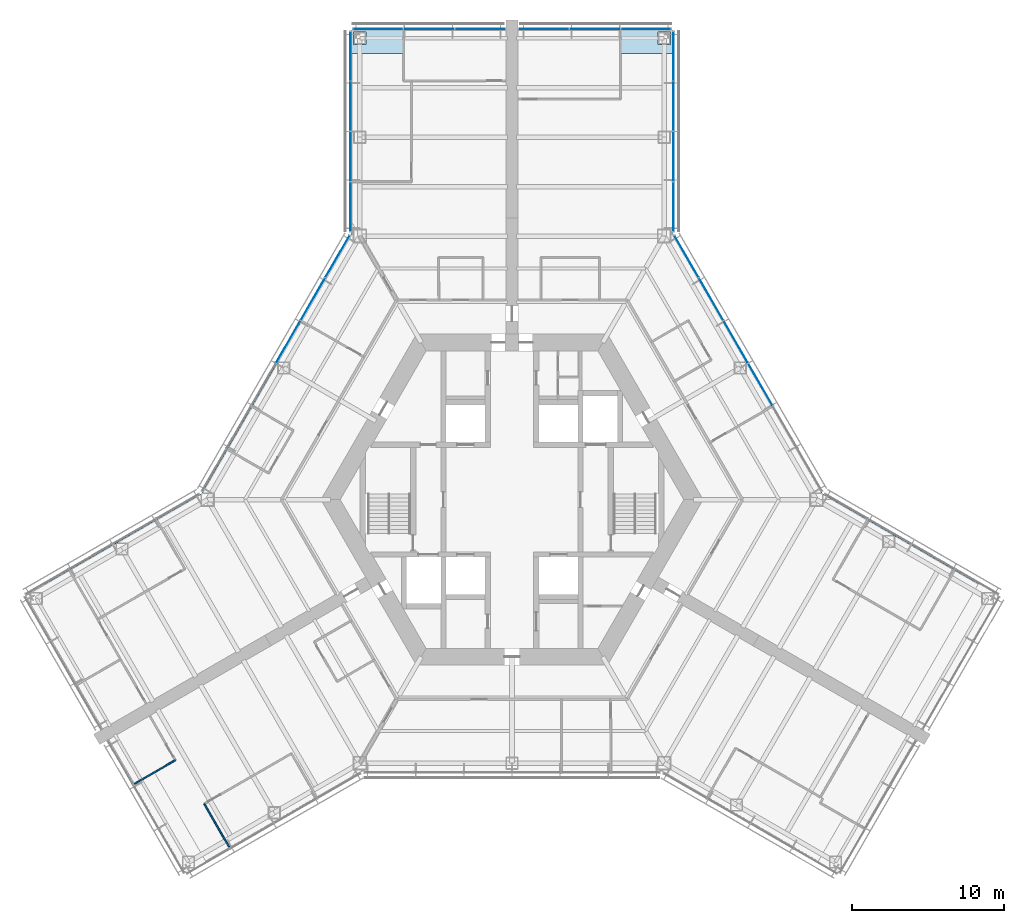
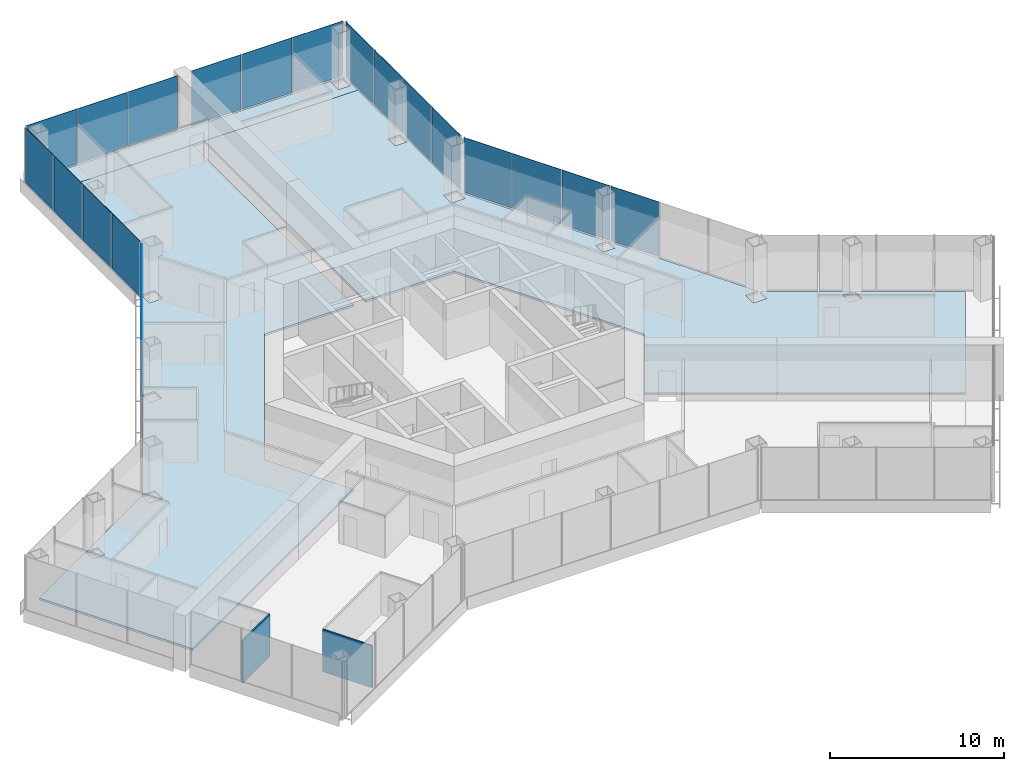
# One storey, part 11 of 18: 21 plates, 3 slabs, 2 walls, 6 elements without a shape of their own.
"""IFC4 building model written with IfcOpenShell, lengths in metres."""

from ifc_helpers import new_model, si_unit, direction, frame, frame_2d, origin, origin_2d, place, context, subcontext, project, spatial, polyline, rectangle, outline, extrude, material, layer, layer_set, type_object, element, aggregate, save


model = new_model("IFC4")

# Units and contexts
model_context = context("Model", 3, precision=1e-05, world=origin(), true_north=direction((0.0, 1.0)))
body_context = subcontext(model_context, "Body", "Model", "MODEL_VIEW")
ifc_project = project(units=[si_unit("LENGTHUNIT", "METRE"), si_unit("AREAUNIT", "SQUARE_METRE"), si_unit("VOLUMEUNIT", "CUBIC_METRE"), si_unit("PLANEANGLEUNIT", "RADIAN"), si_unit("MASSUNIT", "GRAM", prefix="KILO")], contexts=[model_context])

# Site, building, storey
site_placement = place(None, origin())
site = spatial("IfcSite", under=ifc_project, at=site_placement, CompositionType="ELEMENT")
building_placement = place(site_placement, origin())
building = spatial("IfcBuilding", under=site, at=building_placement, Name="Kasaneha Research Tower", CompositionType="ELEMENT")
storey_placement = place(building_placement, frame((0.0, 0.0, 111.89990234375)))
storey = spatial("IfcBuildingStorey", under=building, at=storey_placement, Name="L28", CompositionType="ELEMENT", Elevation=111.89990234375)

# Curtain wall, plates
ifc_material_1 = material(Name="Glass and aluminium", Category="aluminium")
curtain_wall_type = type_object("IfcCurtainWallType", Name="Low-rise office curtain wall", PredefinedType="USERDEFINED", material=ifc_material_1)
curtain_wall_1_placement = place(storey_placement, origin())
curtain_wall_1 = element("IfcCurtainWall", 1, at=curtain_wall_1_placement, inside=storey, type_object=curtain_wall_type, Name="CW-O1 L28 run 07a", ObjectType="UNITISED CURTAIN WALL", PredefinedType="USERDEFINED")
ifc_material_2 = material(Name="Laminated double glazing", Category="glass")
ifc_layer_1 = layer(ifc_material_2, 0.028076171875)
ifc_layer_set_1 = layer_set([ifc_layer_1], Name="CW-O1 glazed panel")
plate_type = type_object("IfcPlateType", Name="CW-O1 glazed panel", PredefinedType="CURTAIN_PANEL", material=ifc_layer_set_1)
plate_1_placement = place(storey_placement, frame((16.331298828125, 7.554443359375, 0.06005859375), z_axis=(0.0, 0.0, 1.0), x_axis=(-0.49999996188, 0.866025425793, 0.0)))
plate_1 = element("IfcPlate", 2, at=plate_1_placement, type_object=plate_type, Name="CW-O1 panel 3", PredefinedType="CURTAIN_PANEL", context=body_context, shape_type="SweptSolid", body=[
    extrude(rectangle(XDim=3.1865234375, YDim=0.028076171875, at=origin_2d()), origin(), (0.0, 0.0, 1.0), 3.840087890625),
])
plate_2_placement = place(storey_placement, frame((14.7080078125, 10.365966796875, 0.06005859375), z_axis=(0.0, 0.0, 1.0), x_axis=(-0.49999996188, 0.866025425793, 0.0)))
plate_2 = element("IfcPlate", 3, at=plate_2_placement, type_object=plate_type, Name="CW-O1 panel 4", PredefinedType="CURTAIN_PANEL", context=body_context, shape_type="SweptSolid", body=[
    extrude(rectangle(XDim=3.1865234375, YDim=0.028076171875, at=origin_2d()), origin(), (0.0, 0.0, 1.0), 3.840087890625),
])
plate_3_placement = place(storey_placement, frame((13.084716796875, 13.177490234375, 0.06005859375), z_axis=(0.0, 0.0, 1.0), x_axis=(-0.49999996188, 0.866025425793, 0.0)))
plate_3 = element("IfcPlate", 4, at=plate_3_placement, type_object=plate_type, Name="CW-O1 panel 5", PredefinedType="CURTAIN_PANEL", context=body_context, shape_type="SweptSolid", body=[
    extrude(rectangle(XDim=3.1865234375, YDim=0.028076171875, at=origin_2d()), origin(), (0.0, 0.0, 1.0), 3.840087890625),
])
plate_4_placement = place(storey_placement, frame((11.468994140625, 15.975830078125, 0.06005859375), z_axis=(0.0, 0.0, 1.0), x_axis=(-0.49999996188, 0.866025425793, 0.0)))
plate_4 = element("IfcPlate", 5, at=plate_4_placement, type_object=plate_type, Name="CW-O1 panel 6", PredefinedType="CURTAIN_PANEL", context=body_context, shape_type="SweptSolid", body=[
    extrude(rectangle(XDim=3.156494140625, YDim=0.028076171875, at=origin_2d()), origin(), (0.0, 0.0, 1.0), 3.840087890625),
])
aggregate(curtain_wall_1, [plate_1, plate_2, plate_3, plate_4])

curtain_wall_2_placement = place(storey_placement, origin())
curtain_wall_2 = element("IfcCurtainWall", 6, at=curtain_wall_2_placement, inside=storey, type_object=curtain_wall_type, Name="CW-O1 L28 run 08a", ObjectType="UNITISED CURTAIN WALL", PredefinedType="USERDEFINED")
plate_5_placement = place(storey_placement, frame((10.60009765625, 19.251220703125, 0.06005859375), z_axis=(0.0, 0.0, 1.0), x_axis=(0.0, 1.0, 0.0)))
plate_5 = element("IfcPlate", 7, at=plate_5_placement, type_object=plate_type, Name="CW-O1 panel 1", PredefinedType="CURTAIN_PANEL", context=body_context, shape_type="SweptSolid", body=[
    extrude(rectangle(XDim=3.2197265625, YDim=0.028076171875, at=origin_2d()), origin(), (0.0, 0.0, 1.0), 3.840087890625),
])
plate_6_placement = place(storey_placement, frame((10.60009765625, 22.5458984375, 0.06005859375), z_axis=(0.0, 0.0, 1.0), x_axis=(0.0, 1.0, 0.0)))
plate_6 = element("IfcPlate", 8, at=plate_6_placement, type_object=plate_type, Name="CW-O1 panel 2", PredefinedType="CURTAIN_PANEL", context=body_context, shape_type="SweptSolid", body=[
    extrude(rectangle(XDim=3.249755859375, YDim=0.028076171875, at=origin_2d()), origin(), (0.0, 0.0, 1.0), 3.840087890625),
])
plate_7_placement = place(storey_placement, frame((10.60009765625, 25.855712890625, 0.06005859375), z_axis=(0.0, 0.0, 1.0), x_axis=(0.0, 1.0, 0.0)))
plate_7 = element("IfcPlate", 9, at=plate_7_placement, type_object=plate_type, Name="CW-O1 panel 3", PredefinedType="CURTAIN_PANEL", context=body_context, shape_type="SweptSolid", body=[
    extrude(rectangle(XDim=3.249755859375, YDim=0.028076171875, at=origin_2d()), origin(), (0.0, 0.0, 1.0), 3.840087890625),
])
plate_8_placement = place(storey_placement, frame((10.60009765625, 29.150634765625, 0.06005859375), z_axis=(0.0, 0.0, 1.0), x_axis=(0.0, 1.0, 0.0)))
plate_8 = element("IfcPlate", 10, at=plate_8_placement, type_object=plate_type, Name="CW-O1 panel 4", PredefinedType="CURTAIN_PANEL", context=body_context, shape_type="SweptSolid", body=[
    extrude(rectangle(XDim=3.2197265625, YDim=0.028076171875, at=origin_2d()), origin(), (0.0, 0.0, 1.0), 3.840087890625),
])
aggregate(curtain_wall_2, [plate_5, plate_6, plate_7, plate_8])

curtain_wall_3_placement = place(storey_placement, origin())
curtain_wall_3 = element("IfcCurtainWall", 11, at=curtain_wall_3_placement, inside=storey, type_object=curtain_wall_type, Name="CW-O1 L28 run 09a", ObjectType="UNITISED CURTAIN WALL", PredefinedType="USERDEFINED")
plate_9_placement = place(storey_placement, frame((8.8017578125, 30.92041015625, 0.06005859375), z_axis=(0.0, 0.0, 1.0), x_axis=(-1.0, 0.0, 0.0)))
plate_9 = element("IfcPlate", 12, at=plate_9_placement, type_object=plate_type, Name="CW-O1 panel 1", PredefinedType="CURTAIN_PANEL", context=body_context, shape_type="SweptSolid", body=[
    extrude(rectangle(XDim=3.276611328125, YDim=0.028076171875, at=origin_2d()), origin(), (0.0, 0.0, 1.0), 3.840087890625),
])
plate_10_placement = place(storey_placement, frame((5.449951171875, 30.92041015625, 0.06005859375), z_axis=(0.0, 0.0, 1.0), x_axis=(-1.0, 0.0, 0.0)))
plate_10 = element("IfcPlate", 13, at=plate_10_placement, type_object=plate_type, Name="CW-O1 panel 2", PredefinedType="CURTAIN_PANEL", context=body_context, shape_type="SweptSolid", body=[
    extrude(rectangle(XDim=3.306640625, YDim=0.028076171875, at=origin_2d()), origin(), (0.0, 0.0, 1.0), 3.840087890625),
])
plate_11_placement = place(storey_placement, frame((2.098388671875, 30.92041015625, 0.06005859375), z_axis=(0.0, 0.0, 1.0), x_axis=(-1.0, 0.0, 0.0)))
plate_11 = element("IfcPlate", 14, at=plate_11_placement, type_object=plate_type, Name="CW-O1 panel 3", PredefinedType="CURTAIN_PANEL", context=body_context, shape_type="SweptSolid", body=[
    extrude(rectangle(XDim=3.276611328125, YDim=0.028076171875, at=origin_2d()), origin(), (0.0, 0.0, 1.0), 3.840087890625),
])
aggregate(curtain_wall_3, [plate_9, plate_10, plate_11])

curtain_wall_4_placement = place(storey_placement, origin())
curtain_wall_4 = element("IfcCurtainWall", 15, at=curtain_wall_4_placement, inside=storey, type_object=curtain_wall_type, Name="CW-O1 L28 run 10a", ObjectType="UNITISED CURTAIN WALL", PredefinedType="USERDEFINED")
plate_12_placement = place(storey_placement, frame((-2.098388671875, 30.92041015625, 0.06005859375), z_axis=(0.0, 0.0, 1.0), x_axis=(-1.0, 0.0, 0.0)))
plate_12 = element("IfcPlate", 16, at=plate_12_placement, type_object=plate_type, Name="CW-O1 panel 1", PredefinedType="CURTAIN_PANEL", context=body_context, shape_type="SweptSolid", body=[
    extrude(rectangle(XDim=3.276611328125, YDim=0.028076171875, at=origin_2d()), origin(), (0.0, 0.0, 1.0), 3.840087890625),
])
plate_13_placement = place(storey_placement, frame((-5.449951171875, 30.92041015625, 0.06005859375), z_axis=(0.0, 0.0, 1.0), x_axis=(-1.0, 0.0, 0.0)))
plate_13 = element("IfcPlate", 17, at=plate_13_placement, type_object=plate_type, Name="CW-O1 panel 2", PredefinedType="CURTAIN_PANEL", context=body_context, shape_type="SweptSolid", body=[
    extrude(rectangle(XDim=3.306640625, YDim=0.028076171875, at=origin_2d()), origin(), (0.0, 0.0, 1.0), 3.840087890625),
])
plate_14_placement = place(storey_placement, frame((-8.8017578125, 30.92041015625, 0.06005859375), z_axis=(0.0, 0.0, 1.0), x_axis=(-1.0, 0.0, 0.0)))
plate_14 = element("IfcPlate", 18, at=plate_14_placement, type_object=plate_type, Name="CW-O1 panel 3", PredefinedType="CURTAIN_PANEL", context=body_context, shape_type="SweptSolid", body=[
    extrude(rectangle(XDim=3.276611328125, YDim=0.028076171875, at=origin_2d()), origin(), (0.0, 0.0, 1.0), 3.840087890625),
])
aggregate(curtain_wall_4, [plate_12, plate_13, plate_14])

curtain_wall_5_placement = place(storey_placement, origin())
curtain_wall_5 = element("IfcCurtainWall", 19, at=curtain_wall_5_placement, inside=storey, type_object=curtain_wall_type, Name="CW-O1 L28 run 11a", ObjectType="UNITISED CURTAIN WALL", PredefinedType="USERDEFINED")
plate_15_placement = place(storey_placement, frame((-10.60009765625, 29.150634765625, 0.06005859375), z_axis=(0.0, 0.0, 1.0), x_axis=(0.0, -1.0, 0.0)))
plate_15 = element("IfcPlate", 20, at=plate_15_placement, type_object=plate_type, Name="CW-O1 panel 1", PredefinedType="CURTAIN_PANEL", context=body_context, shape_type="SweptSolid", body=[
    extrude(rectangle(XDim=3.2197265625, YDim=0.028076171875, at=origin_2d()), origin(), (0.0, 0.0, 1.0), 3.840087890625),
])
plate_16_placement = place(storey_placement, frame((-10.60009765625, 25.855712890625, 0.06005859375), z_axis=(0.0, 0.0, 1.0), x_axis=(0.0, -1.0, 0.0)))
plate_16 = element("IfcPlate", 21, at=plate_16_placement, type_object=plate_type, Name="CW-O1 panel 2", PredefinedType="CURTAIN_PANEL", context=body_context, shape_type="SweptSolid", body=[
    extrude(rectangle(XDim=3.249755859375, YDim=0.028076171875, at=origin_2d()), origin(), (0.0, 0.0, 1.0), 3.840087890625),
])
plate_17_placement = place(storey_placement, frame((-10.60009765625, 22.5458984375, 0.06005859375), z_axis=(0.0, 0.0, 1.0), x_axis=(0.0, -1.0, 0.0)))
plate_17 = element("IfcPlate", 22, at=plate_17_placement, type_object=plate_type, Name="CW-O1 panel 3", PredefinedType="CURTAIN_PANEL", context=body_context, shape_type="SweptSolid", body=[
    extrude(rectangle(XDim=3.249755859375, YDim=0.028076171875, at=origin_2d()), origin(), (0.0, 0.0, 1.0), 3.840087890625),
])
plate_18_placement = place(storey_placement, frame((-10.60009765625, 19.251220703125, 0.06005859375), z_axis=(0.0, 0.0, 1.0), x_axis=(0.0, -1.0, 0.0)))
plate_18 = element("IfcPlate", 23, at=plate_18_placement, type_object=plate_type, Name="CW-O1 panel 4", PredefinedType="CURTAIN_PANEL", context=body_context, shape_type="SweptSolid", body=[
    extrude(rectangle(XDim=3.2197265625, YDim=0.028076171875, at=origin_2d()), origin(), (0.0, 0.0, 1.0), 3.840087890625),
])
aggregate(curtain_wall_5, [plate_15, plate_16, plate_17, plate_18])

curtain_wall_6_placement = place(storey_placement, origin())
curtain_wall_6 = element("IfcCurtainWall", 24, at=curtain_wall_6_placement, inside=storey, type_object=curtain_wall_type, Name="CW-O1 L28 run 12a", ObjectType="UNITISED CURTAIN WALL", PredefinedType="USERDEFINED")
plate_19_placement = place(storey_placement, frame((-11.468994140625, 15.975830078125, 0.06005859375), z_axis=(0.0, 0.0, 1.0), x_axis=(-0.49999996188, -0.866025425793, 0.0)))
plate_19 = element("IfcPlate", 25, at=plate_19_placement, type_object=plate_type, Name="CW-O1 panel 1", PredefinedType="CURTAIN_PANEL", context=body_context, shape_type="SweptSolid", body=[
    extrude(rectangle(XDim=3.156494140625, YDim=0.028076171875, at=origin_2d()), origin(), (0.0, 0.0, 1.0), 3.840087890625),
])
plate_20_placement = place(storey_placement, frame((-13.084716796875, 13.177490234375, 0.06005859375), z_axis=(0.0, 0.0, 1.0), x_axis=(-0.49999996188, -0.866025425793, 0.0)))
plate_20 = element("IfcPlate", 26, at=plate_20_placement, type_object=plate_type, Name="CW-O1 panel 2", PredefinedType="CURTAIN_PANEL", context=body_context, shape_type="SweptSolid", body=[
    extrude(rectangle(XDim=3.1865234375, YDim=0.028076171875, at=origin_2d()), origin(), (0.0, 0.0, 1.0), 3.840087890625),
])
plate_21_placement = place(storey_placement, frame((-14.7080078125, 10.365966796875, 0.06005859375), z_axis=(0.0, 0.0, 1.0), x_axis=(-0.49999996188, -0.866025425793, 0.0)))
plate_21 = element("IfcPlate", 27, at=plate_21_placement, type_object=plate_type, Name="CW-O1 panel 3", PredefinedType="CURTAIN_PANEL", context=body_context, shape_type="SweptSolid", body=[
    extrude(rectangle(XDim=3.1865234375, YDim=0.028076171875, at=origin_2d()), origin(), (0.0, 0.0, 1.0), 3.840087890625),
])
aggregate(curtain_wall_6, [plate_19, plate_20, plate_21])

# Slabs
ifc_material_3 = material(Name="Concrete Fc24", Category="concrete")
ifc_layer_2 = layer(ifc_material_3, 0.14990234375)
ifc_layer_set_2 = layer_set([ifc_layer_2], Name="Floor slab 150")
slab_type = type_object("IfcSlabType", Name="Floor slab 150", PredefinedType="FLOOR", material=ifc_layer_set_2)
slab_1_placement = place(storey_placement, frame((0.0, 0.0, -0.14990234375)))
element("IfcSlab", 28, at=slab_1_placement, inside=storey, type_object=slab_type, Name="Floor slab L28 2", PredefinedType="FLOOR", context=body_context, shape_type="SweptSolid", body=[
    extrude(outline(polyline([(-20.375244140625, 0.449951171875), (-15.40771484375, 9.053955078125), (-15.400146484375, 9.046142578125), (-15.400146484375, 8.26025390625), (-14.599853515625, 8.26025390625), (-14.599853515625, 9.060302734375), (-15.385986328125, 9.060302734375), (-15.3974609375, 9.07177734375), (-10.550048828125, 17.4677734375), (-10.550048828125, 29.310546875), (-0.39990234375, 29.310546875), (-0.39990234375, 10.875), (-6.278564453125, 10.875), (-12.557373046875, 0.0), (-9.617919921875, -5.091064453125), (-25.583740234375, -14.308837890625), (-30.65869140625, -5.518798828125), (-26.040771484375, -2.8525390625), (-26.029296875, -2.864013671875), (-26.029296875, -3.650146484375), (-25.22900390625, -3.650146484375), (-25.22900390625, -2.849853515625), (-26.01513671875, -2.849853515625), (-26.02294921875, -2.84228515625), (-20.449951171875, 0.375244140625), (-20.449951171875, -0.449951171875), (-19.550048828125, -0.449951171875), (-19.550048828125, 0.449951171875), (-20.375244140625, 0.449951171875)]), holes=[polyline([(-9.550048828125, 17.7705078125), (-10.449951171875, 17.7705078125), (-10.449951171875, 16.87060546875), (-9.550048828125, 16.87060546875), (-9.550048828125, 17.7705078125)]), polyline([(-9.60009765625, 23.42041015625), (-9.60009765625, 24.220458984375), (-10.39990234375, 24.220458984375), (-10.39990234375, 23.42041015625), (-9.60009765625, 23.42041015625)])]), origin(), (0.0, 0.0, 1.0), 0.14990234375),
])
slab_2_placement = place(storey_placement, frame((0.0, 0.0, -0.14990234375)))
element("IfcSlab", 29, at=slab_2_placement, inside=storey, type_object=slab_type, Name="Floor slab L28 3", PredefinedType="FLOOR", context=body_context, shape_type="SweptSolid", body=[
    extrude(outline(polyline([(10.550048828125, 29.310546875), (0.39990234375, 29.310546875), (0.39990234375, 29.320556640625), (-0.39990234375, 29.320556640625), (-0.39990234375, 29.310546875), (-10.550048828125, 29.310546875), (-10.550048828125, 30.87060546875), (10.550048828125, 30.87060546875), (10.550048828125, 29.310546875)]), holes=[polyline([(-9.60009765625, 30.720458984375), (-10.39990234375, 30.720458984375), (-10.39990234375, 29.92041015625), (-9.60009765625, 29.92041015625), (-9.60009765625, 30.720458984375)]), polyline([(10.39990234375, 29.92041015625), (10.39990234375, 30.720458984375), (9.60009765625, 30.720458984375), (9.60009765625, 29.92041015625), (10.39990234375, 29.92041015625)])]), origin(), (0.0, 0.0, 1.0), 0.14990234375),
])
slab_3_placement = place(storey_placement, frame((0.0, 0.0, -0.14990234375)))
element("IfcSlab", 30, at=slab_3_placement, inside=storey, type_object=slab_type, Name="Floor slab L28 5", PredefinedType="FLOOR", context=body_context, shape_type="SweptSolid", body=[
    extrude(outline(polyline([(9.617919921875, -5.091064453125), (12.557373046875, 0.0), (6.278564453125, 10.875), (0.39990234375, 10.875), (0.39990234375, 29.310546875), (10.550048828125, 29.310546875), (10.550048828125, 17.4677734375), (15.3974609375, 9.07177734375), (15.385986328125, 9.060302734375), (14.599853515625, 9.060302734375), (14.599853515625, 8.26025390625), (15.400146484375, 8.26025390625), (15.400146484375, 9.046142578125), (15.40771484375, 9.053955078125), (20.375244140625, 0.449951171875), (19.550048828125, 0.449951171875), (19.550048828125, -0.449951171875), (20.449951171875, -0.449951171875), (20.449951171875, 0.375244140625), (25.15673828125, -2.34228515625), (25.149169921875, -2.349853515625), (24.363037109375, -2.349853515625), (24.363037109375, -3.150146484375), (25.163330078125, -3.150146484375), (25.163330078125, -2.364013671875), (25.1748046875, -2.3525390625), (30.65869140625, -5.518798828125), (25.583740234375, -14.308837890625), (9.617919921875, -5.091064453125)]), holes=[polyline([(10.449951171875, 16.87060546875), (10.449951171875, 17.7705078125), (9.550048828125, 17.7705078125), (9.550048828125, 16.87060546875), (10.449951171875, 16.87060546875)]), polyline([(10.39990234375, 23.42041015625), (10.39990234375, 24.220458984375), (9.60009765625, 24.220458984375), (9.60009765625, 23.42041015625), (10.39990234375, 23.42041015625)])]), origin(), (0.0, 0.0, 1.0), 0.14990234375),
])

# Walls
ifc_material_4 = material(Name="Gypsum board on steel studs, one layer each side", Category="steel")
ifc_layer_3 = layer(ifc_material_4, 0.10009765625)
ifc_layer_set_3 = layer_set([ifc_layer_3], Name="Office partition 100")
wall_type = type_object("IfcWallType", Name="Office partition 100", PredefinedType="PARTITIONING", material=ifc_layer_set_3)
wall_1_placement = place(storey_placement, frame((-18.5849609375, -22.831298828125, 0.0), z_axis=(0.0, 0.0, 1.0), x_axis=(-0.50002956483, 0.866008333849, 0.0)))
element("IfcWall", 31, at=wall_1_placement, inside=storey, type_object=wall_type, Name="Office partition FBS08 L28", PredefinedType="PARTITIONING", context=body_context, shape_type="SweptSolid", body=[
    extrude(rectangle(XDim=3.280029296875, YDim=0.10009765625, at=frame_2d((1.64013671875, 0.0))), origin(), (0.0, 0.0, 1.0), 2.9501953125),
])
wall_2_placement = place(storey_placement, frame((-22.123291015625, -17.122314453125, 0.0), z_axis=(0.0, 0.0, 1.0), x_axis=(-0.86602952684, -0.49999285859, 0.0)))
element("IfcWall", 32, at=wall_2_placement, inside=storey, type_object=wall_type, Name="Office partition FBS11 L28", PredefinedType="PARTITIONING", context=body_context, shape_type="SweptSolid", body=[
    extrude(rectangle(XDim=3.10009765625, YDim=0.10009765625, at=frame_2d((1.550048828125, 0.0))), origin(), (0.0, 0.0, 1.0), 2.9501953125),
])

save(model, "model.ifc")
